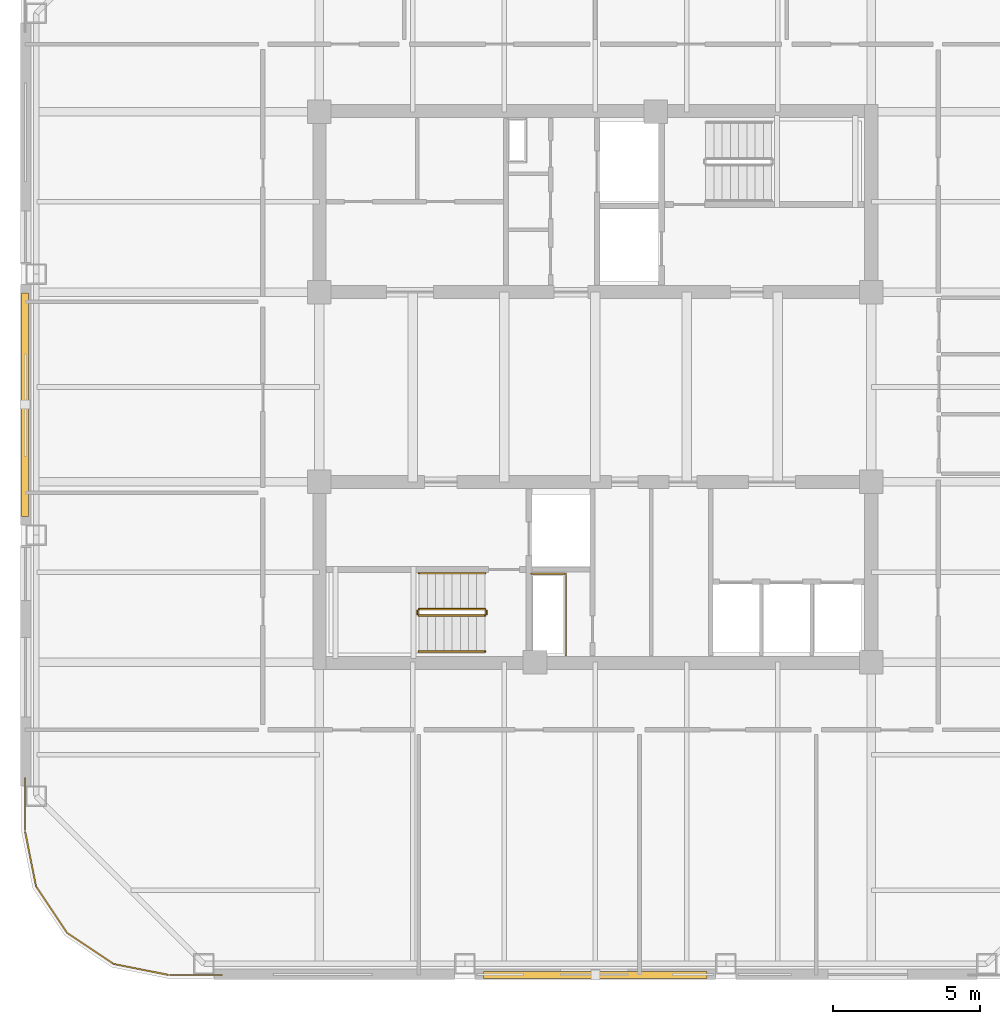
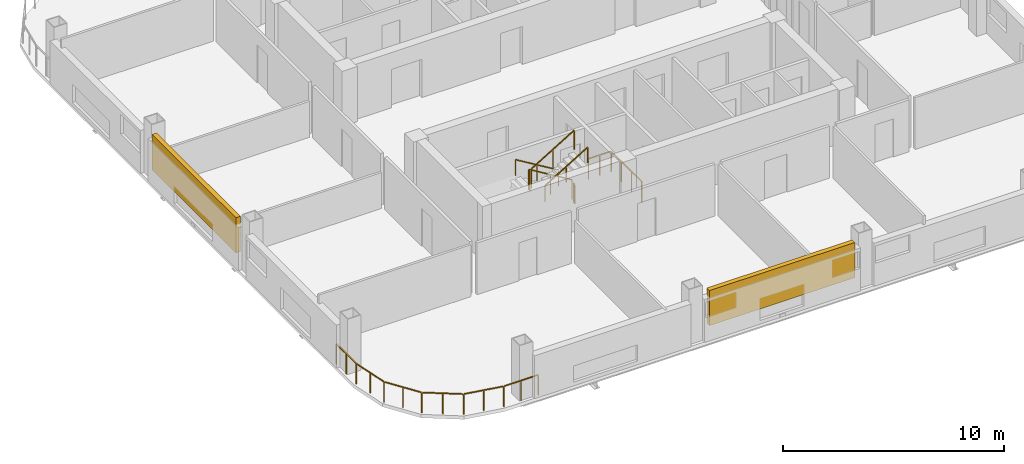
# One storey, part 6 of 8: 8 railings, 2 shading devices.
"""IFC4 building model written with IfcOpenShell, lengths in metres."""

from ifc_helpers import new_model, si_unit, direction, frame, origin, origin_2d, place, context, subcontext, project, spatial, rectangle, extrude, material, type_object, element, save


model = new_model("IFC4")

# Units and contexts
model_context = context("Model", 3, precision=1e-05, world=origin(), true_north=direction((0.0, 1.0)))
body_context = subcontext(model_context, "Body", "Model", "MODEL_VIEW")
ifc_project = project(units=[si_unit("LENGTHUNIT", "METRE"), si_unit("AREAUNIT", "SQUARE_METRE"), si_unit("VOLUMEUNIT", "CUBIC_METRE"), si_unit("PLANEANGLEUNIT", "RADIAN"), si_unit("MASSUNIT", "GRAM", prefix="KILO")], contexts=[model_context])

# Site, building, storey
site_placement = place(None, origin())
site = spatial("IfcSite", under=ifc_project, at=site_placement, CompositionType="ELEMENT")
building_placement = place(site_placement, origin())
building = spatial("IfcBuilding", under=site, at=building_placement, Name="Qhalaya Broadcast Tower", CompositionType="ELEMENT")
storey_placement = place(building_placement, frame((0.0, 0.0, 220.85009765625)))
storey = spatial("IfcBuildingStorey", under=building, at=storey_placement, Name="L65", CompositionType="ELEMENT", Elevation=220.85009765625)

# Railings
ifc_material_1 = material(Name="Powder-Coated Galvanised Steel", Category="steel")
railing_type_1 = type_object("IfcRailingType", Name="Stair Wall Handrail 900", PredefinedType="HANDRAIL", material=ifc_material_1)
railing_1_placement = place(storey_placement, frame((-3.75, -5.72998046875, 0.16943359375)))
element("IfcRailing", 1, at=railing_1_placement, inside=storey, type_object=railing_type_1, Name="L65 ST-2 Stair Handrail 1", PredefinedType="HANDRAIL", context=body_context, shape_type="SweptSolid", body=[
    extrude(rectangle(XDim=0.048095703125, YDim=0.048095703125, at=origin_2d()), frame((0.0, 0.0, 0.8759765625), z_axis=(-0.855553338991, 0.0, 0.51771467445), x_axis=(0.0, -1.0, 0.0)), (0.0, 0.0, 1.0), 2.6181640625),
    extrude(rectangle(XDim=0.0419921875, YDim=0.0419921875, at=origin_2d()), origin(), (0.0, 0.0, 1.0), 0.849853515625),
    extrude(rectangle(XDim=0.0419921875, YDim=0.0419921875, at=origin_2d()), frame((-1.1201171875, 0.0, 0.677734375)), (0.0, 0.0, 1.0), 0.849853515625),
    extrude(rectangle(XDim=0.0419921875, YDim=0.0419921875, at=origin_2d()), frame((-2.239990234375, 0.0, 1.35546875)), (0.0, 0.0, 1.0), 0.849853515625),
])
railing_2_placement = place(storey_placement, frame((-5.989990234375, -8.389892578125, 1.6943359375)))
element("IfcRailing", 2, at=railing_2_placement, inside=storey, type_object=railing_type_1, Name="L65 ST-2 Stair Handrail 2", PredefinedType="HANDRAIL", context=body_context, shape_type="SweptSolid", body=[
    extrude(rectangle(XDim=0.048095703125, YDim=0.048095703125, at=origin_2d()), frame((0.0, 0.0, 0.8759765625), z_axis=(0.855553338991, 0.0, 0.51771467445), x_axis=(0.0, 1.0, 0.0)), (0.0, 0.0, 1.0), 2.6181640625),
    extrude(rectangle(XDim=0.0419921875, YDim=0.0419921875, at=origin_2d()), origin(), (0.0, 0.0, 1.0), 0.849853515625),
    extrude(rectangle(XDim=0.0419921875, YDim=0.0419921875, at=origin_2d()), frame((1.1201171875, 0.0, 0.677734375)), (0.0, 0.0, 1.0), 0.849853515625),
    extrude(rectangle(XDim=0.0419921875, YDim=0.0419921875, at=origin_2d()), frame((2.239990234375, 0.0, 1.35546875)), (0.0, 0.0, 1.0), 0.849853515625),
])
railing_type_2 = type_object("IfcRailingType", Name="Stair Well & Landing Guardrail 1100", PredefinedType="GUARDRAIL", material=ifc_material_1)
railing_3_placement = place(storey_placement, frame((-1.0, -8.52001953125, 0.0)))
element("IfcRailing", 3, at=railing_3_placement, inside=storey, type_object=railing_type_2, Name="L65 Service Riser Opening Safety Guard SRSR", PredefinedType="GUARDRAIL", context=body_context, shape_type="SweptSolid", body=[
    extrude(rectangle(XDim=0.048095703125, YDim=0.048095703125, at=origin_2d()), frame((0.0, 0.0, 1.1259765625), z_axis=(0.0, 1.0, 0.0), x_axis=(-1.0, 0.0, 0.0)), (0.0, 0.0, 1.0), 2.751220703125),
    extrude(rectangle(XDim=0.048095703125, YDim=0.048095703125, at=origin_2d()), frame((-0.02880859375, 2.780029296875, 1.1259765625), z_axis=(-1.0, 0.0, 0.0), x_axis=(0.0, -1.0, 0.0)), (0.0, 0.0, 1.0), 1.151123046875),
    extrude(rectangle(XDim=0.0419921875, YDim=0.0419921875, at=origin_2d()), origin(), (0.0, 0.0, 1.0), 1.099853515625),
    extrude(rectangle(XDim=0.0419921875, YDim=0.0419921875, at=origin_2d()), frame((0.0, 0.9267578125, 0.0)), (0.0, 0.0, 1.0), 1.099853515625),
    extrude(rectangle(XDim=0.0419921875, YDim=0.0419921875, at=origin_2d()), frame((0.0, 1.853271484375, 0.0)), (0.0, 0.0, 1.0), 1.099853515625),
    extrude(rectangle(XDim=0.0419921875, YDim=0.0419921875, at=origin_2d()), frame((0.0, 2.780029296875, 0.0)), (0.0, 0.0, 1.0), 1.099853515625),
    extrude(rectangle(XDim=0.0419921875, YDim=0.0419921875, at=origin_2d()), frame((-0.58984375, 2.780029296875, 0.0)), (0.0, 0.0, 1.0), 1.099853515625),
    extrude(rectangle(XDim=0.0419921875, YDim=0.0419921875, at=origin_2d()), frame((-1.179931640625, 2.780029296875, 0.0)), (0.0, 0.0, 1.0), 1.099853515625),
])
railing_4_placement = place(storey_placement, frame((-3.75, -6.949951171875, 0.16943359375)))
element("IfcRailing", 4, at=railing_4_placement, inside=storey, type_object=railing_type_2, Name="L65 ST-2 Stair Guard 1", PredefinedType="GUARDRAIL", context=body_context, shape_type="SweptSolid", body=[
    extrude(rectangle(XDim=0.048095703125, YDim=0.048095703125, at=origin_2d()), frame((0.0, 0.0, 1.076171875), z_axis=(-0.855553338991, 0.0, 0.51771467445), x_axis=(0.0, -1.0, 0.0)), (0.0, 0.0, 1.0), 2.6181640625),
    extrude(rectangle(XDim=0.0419921875, YDim=0.0419921875, at=origin_2d()), origin(), (0.0, 0.0, 1.0), 1.050048828125),
    extrude(rectangle(XDim=0.0419921875, YDim=0.0419921875, at=origin_2d()), frame((-1.1201171875, 0.0, 0.677734375)), (0.0, 0.0, 1.0), 1.050048828125),
    extrude(rectangle(XDim=0.0419921875, YDim=0.0419921875, at=origin_2d()), frame((-2.239990234375, 0.0, 1.35546875)), (0.0, 0.0, 1.0), 1.050048828125),
])
railing_5_placement = place(storey_placement, frame((-6.0400390625, -7.0, 1.52490234375)))
element("IfcRailing", 5, at=railing_5_placement, inside=storey, type_object=railing_type_2, Name="L65 ST-2 Stair Guard 2", PredefinedType="GUARDRAIL", context=body_context, shape_type="SweptSolid", body=[
    extrude(rectangle(XDim=0.048095703125, YDim=0.048095703125, at=origin_2d()), frame((0.0, 0.0, 1.076171875), z_axis=(0.0, -1.0, 0.0), x_axis=(1.0, 0.0, 0.0)), (0.0, 0.0, 1.0), 0.1201171875),
    extrude(rectangle(XDim=0.0419921875, YDim=0.0419921875, at=origin_2d()), origin(), (0.0, 0.0, 1.0), 1.050048828125),
    extrude(rectangle(XDim=0.0419921875, YDim=0.0419921875, at=origin_2d()), frame((0.0, -0.1201171875, 0.0)), (0.0, 0.0, 1.0), 1.050048828125),
])
railing_6_placement = place(storey_placement, frame((-5.989990234375, -7.169921875, 1.6943359375)))
element("IfcRailing", 6, at=railing_6_placement, inside=storey, type_object=railing_type_2, Name="L65 ST-2 Stair Guard 3", PredefinedType="GUARDRAIL", context=body_context, shape_type="SweptSolid", body=[
    extrude(rectangle(XDim=0.048095703125, YDim=0.048095703125, at=origin_2d()), frame((0.0, 0.0, 1.076171875), z_axis=(0.855553338991, 0.0, 0.51771467445), x_axis=(0.0, 1.0, 0.0)), (0.0, 0.0, 1.0), 2.6181640625),
    extrude(rectangle(XDim=0.0419921875, YDim=0.0419921875, at=origin_2d()), origin(), (0.0, 0.0, 1.0), 1.050048828125),
    extrude(rectangle(XDim=0.0419921875, YDim=0.0419921875, at=origin_2d()), frame((1.1201171875, 0.0, 0.677734375)), (0.0, 0.0, 1.0), 1.050048828125),
    extrude(rectangle(XDim=0.0419921875, YDim=0.0419921875, at=origin_2d()), frame((2.239990234375, 0.0, 1.35546875)), (0.0, 0.0, 1.0), 1.050048828125),
])
railing_7_placement = place(storey_placement, frame((-3.699951171875, -7.0, 0.0)))
element("IfcRailing", 7, at=railing_7_placement, inside=storey, type_object=railing_type_2, Name="L65 ST-2 Stair Guard 4", PredefinedType="GUARDRAIL", context=body_context, shape_type="SweptSolid", body=[
    extrude(rectangle(XDim=0.048095703125, YDim=0.048095703125, at=origin_2d()), frame((0.0, 0.0, 1.076171875), z_axis=(0.0, -1.0, 0.0), x_axis=(1.0, 0.0, 0.0)), (0.0, 0.0, 1.0), 0.1201171875),
    extrude(rectangle(XDim=0.0419921875, YDim=0.0419921875, at=origin_2d()), origin(), (0.0, 0.0, 1.0), 1.050048828125),
    extrude(rectangle(XDim=0.0419921875, YDim=0.0419921875, at=origin_2d()), frame((0.0, -0.1201171875, 0.0)), (0.0, 0.0, 1.0), 1.050048828125),
])
railing_type_3 = type_object("IfcRailingType", Name="Terrace, Sky-Pool & Lookout Glass Balustrade 1150", PredefinedType="BALUSTRADE", material=ifc_material_1)
railing_8_placement = place(storey_placement, frame((-12.681884765625, -19.3798828125, 0.0)))
element("IfcRailing", 8, at=railing_8_placement, inside=storey, type_object=railing_type_3, Name="L65 Rounded Corner Perimeter Guard 02", PredefinedType="BALUSTRADE", context=body_context, shape_type="SweptSolid", body=[
    extrude(rectangle(XDim=0.048095703125, YDim=0.048095703125, at=origin_2d()), frame((0.0, 0.0, 1.1259765625), z_axis=(-1.0, 0.0, 0.0), x_axis=(0.0, -1.0, 0.0)), (0.0, 0.0, 1.0), 1.777587890625),
    extrude(rectangle(XDim=0.048095703125, YDim=0.048095703125, at=origin_2d()), frame((-1.834716796875, 0.005615234375, 1.1259765625), z_axis=(-0.980795810058, 0.195037378397, 0.0), x_axis=(-0.195037378397, -0.980795810058, 0.0)), (0.0, 0.0, 1.0), 1.857421875),
    extrude(rectangle(XDim=0.048095703125, YDim=0.048095703125, at=origin_2d()), frame((-3.708740234375, 0.3896484375, 1.1259765625), z_axis=(-0.831437950597, 0.555617615188, 0.0), x_axis=(-0.555617615188, -0.831437950597, 0.0)), (0.0, 0.0, 1.0), 1.845458984375),
    extrude(rectangle(XDim=0.048095703125, YDim=0.048095703125, at=origin_2d()), frame((-5.283203125, 1.454833984375, 1.1259765625), z_axis=(-0.555617615188, 0.831437950597, 0.0), x_axis=(-0.831437950597, -0.555617615188, 0.0)), (0.0, 0.0, 1.0), 1.845458984375),
    extrude(rectangle(XDim=0.048095703125, YDim=0.048095703125, at=origin_2d()), frame((-6.330078125, 3.04150390625, 1.1259765625), z_axis=(-0.195037378397, 0.980795810058, 0.0), x_axis=(-0.980795810058, -0.195037378397, 0.0)), (0.0, 0.0, 1.0), 1.857421875),
    extrude(rectangle(XDim=0.048095703125, YDim=0.048095703125, at=origin_2d()), frame((-6.697998046875, 4.92041015625, 1.1259765625), z_axis=(0.0, 1.0, 0.0), x_axis=(-1.0, 0.0, 0.0)), (0.0, 0.0, 1.0), 1.777587890625),
    extrude(rectangle(XDim=0.0419921875, YDim=0.0419921875, at=origin_2d()), origin(), (0.0, 0.0, 1.0), 1.099853515625),
    extrude(rectangle(XDim=0.0419921875, YDim=0.0419921875, at=origin_2d()), frame((-0.9033203125, 0.0, 0.0)), (0.0, 0.0, 1.0), 1.099853515625),
    extrude(rectangle(XDim=0.0419921875, YDim=0.0419921875, at=origin_2d()), frame((-1.806396484375, 0.0, 0.0)), (0.0, 0.0, 1.0), 1.099853515625),
    extrude(rectangle(XDim=0.0419921875, YDim=0.0419921875, at=origin_2d()), frame((-2.74560546875, 0.186767578125, 0.0)), (0.0, 0.0, 1.0), 1.099853515625),
    extrude(rectangle(XDim=0.0419921875, YDim=0.0419921875, at=origin_2d()), frame((-3.684814453125, 0.37353515625, 0.0)), (0.0, 0.0, 1.0), 1.099853515625),
    extrude(rectangle(XDim=0.0419921875, YDim=0.0419921875, at=origin_2d()), frame((-4.47607421875, 0.90234375, 0.0)), (0.0, 0.0, 1.0), 1.099853515625),
    extrude(rectangle(XDim=0.0419921875, YDim=0.0419921875, at=origin_2d()), frame((-5.26708984375, 1.430908203125, 0.0)), (0.0, 0.0, 1.0), 1.099853515625),
    extrude(rectangle(XDim=0.0419921875, YDim=0.0419921875, at=origin_2d()), frame((-5.7958984375, 2.22216796875, 0.0)), (0.0, 0.0, 1.0), 1.099853515625),
    extrude(rectangle(XDim=0.0419921875, YDim=0.0419921875, at=origin_2d()), frame((-6.324462890625, 3.01318359375, 0.0)), (0.0, 0.0, 1.0), 1.099853515625),
    extrude(rectangle(XDim=0.0419921875, YDim=0.0419921875, at=origin_2d()), frame((-6.51123046875, 3.952392578125, 0.0)), (0.0, 0.0, 1.0), 1.099853515625),
    extrude(rectangle(XDim=0.0419921875, YDim=0.0419921875, at=origin_2d()), frame((-6.697998046875, 4.8916015625, 0.0)), (0.0, 0.0, 1.0), 1.099853515625),
    extrude(rectangle(XDim=0.0419921875, YDim=0.0419921875, at=origin_2d()), frame((-6.697998046875, 5.794921875, 0.0)), (0.0, 0.0, 1.0), 1.099853515625),
    extrude(rectangle(XDim=0.0419921875, YDim=0.0419921875, at=origin_2d()), frame((-6.697998046875, 6.697998046875, 0.0)), (0.0, 0.0, 1.0), 1.099853515625),
])

# Shading devices
ifc_material_2 = material(Name="Fired Architectural Terracotta", Category="masonry")
shading_device_type = type_object("IfcShadingDeviceType", Name="Terracotta Baguette Solar Screen Assembly TBS-01", PredefinedType="USERDEFINED", material=ifc_material_2)
for number, where, z_axis, x_axis, name in (
    (9, (0.0, -19.3798828125, 0.80078125), (0.0, 0.0, 1.0), (1.0, 0.0, 0.0), "L65 Fired Terracotta Baguette Screen S"),
    (10, (-19.3798828125, 0.0, 0.80078125), (0.0, 0.0, 1.0), (0.0, -1.0, 0.0), "L65 Fired Terracotta Baguette Screen W"),
):
    element("IfcShadingDevice", number, at=place(storey_placement, frame(where, z_axis=z_axis, x_axis=x_axis)), inside=storey, type_object=shading_device_type, Name=name, ObjectType="BAGUETTE", PredefinedType="USERDEFINED", context=body_context, shape_type="SweptSolid", body=[
        extrude(rectangle(XDim=7.60009765625, YDim=0.239990234375, at=origin_2d()), origin(), (0.0, 0.0, 1.0), 1.945068359375),
    ])

save(model, "model.ifc")
